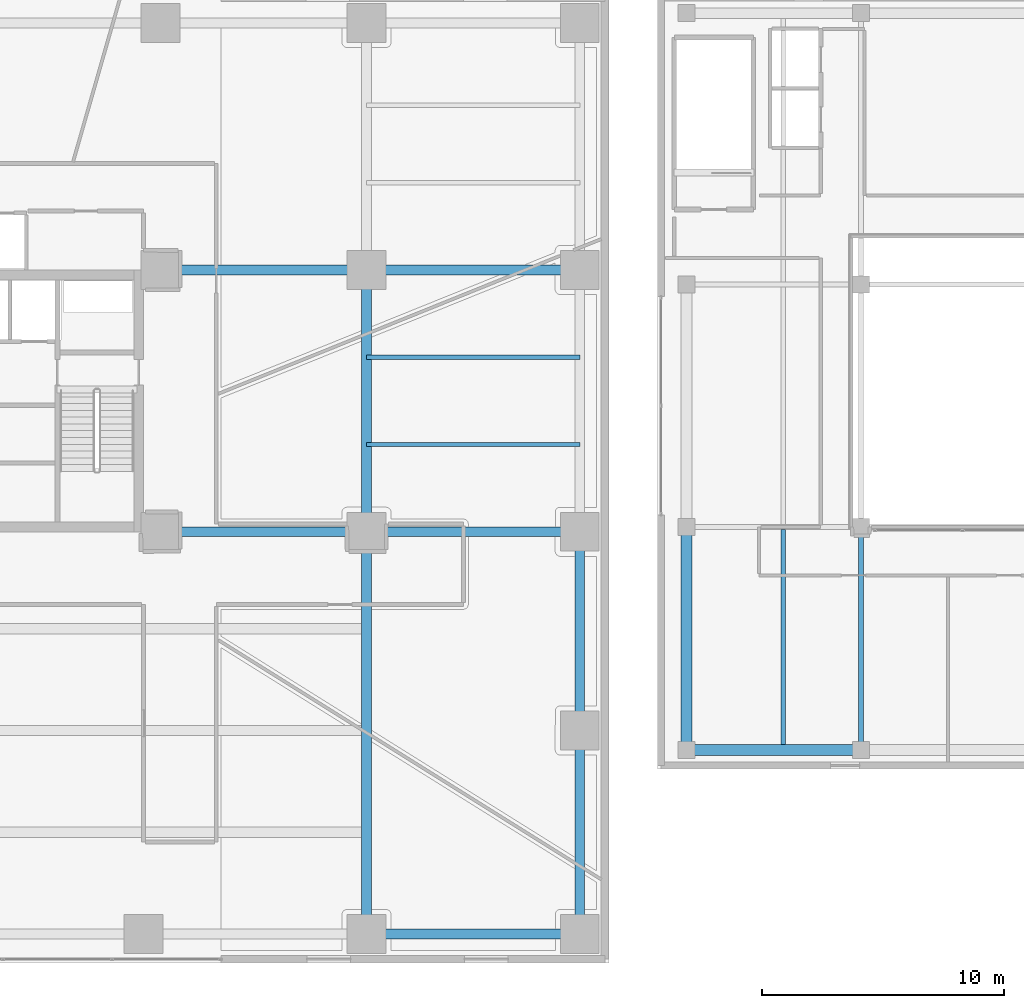
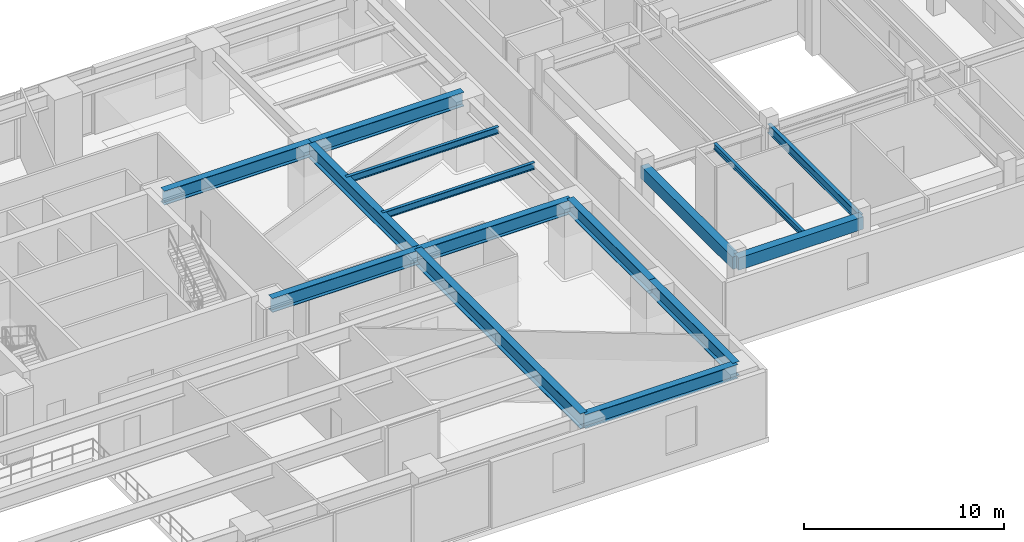
# One storey, part 7 of 25: 15 beams.
"""IFC4 building model written with IfcOpenShell, lengths in metres."""

import ifcopenshell
import ifcopenshell.guid

model = None  # the IFC model being written
_history = None  # IfcOwnerHistory: only IFC2X3 demands one
_inside = {}  # id of a spatial element -> (the spatial element, [elements in it])
_under = {}  # id of a project, library or spatial element -> (it, [spatial elements below it])
_declared = {}  # id of a project -> (the project, [libraries it declares])
_typed = {}  # id of a type object -> (the type object, [elements of that type])
_made_of = {}  # id of a material, layer set ... -> (it, [elements and type objects made of it])


def new_model(schema):
    """Start an empty IFC model of exactly this schema.

    Asked for "IFC4X3", IfcOpenShell would pick the latest addendum, in which some entities
    have other attributes; the version numbers below select the first issue.
    IFC2X3 requires an IfcOwnerHistory on every rooted entity: one is made here for all.
    """
    global model, _history
    if schema == "IFC4X3":
        model = ifcopenshell.file(schema_version=(4, 3, 0, 0))
    else:
        model = ifcopenshell.file(schema=schema)
    _inside.clear()
    _under.clear()
    _declared.clear()
    _typed.clear()
    _made_of.clear()
    _history = None
    if model.schema == "IFC2X3":
        org = make("IfcOrganization", Name="unknown")
        user = make(
            "IfcPersonAndOrganization",
            ThePerson=make("IfcPerson", FamilyName="unknown"),
            TheOrganization=org,
        )
        app = make(
            "IfcApplication",
            ApplicationDeveloper=org,
            Version="unknown",
            ApplicationFullName="unknown",
            ApplicationIdentifier="unknown",
        )
        _history = make(
            "IfcOwnerHistory",
            OwningUser=user,
            OwningApplication=app,
            ChangeAction="ADDED",
            CreationDate=0,
        )
    return model


def make(cls, **values):
    """One entity of the class cls with the attributes given. An attribute that is None is left unset."""
    return model.create_entity(
        cls, **{name: value for name, value in values.items() if value is not None}
    )


def rooted(cls, **values):
    """An entity with a GlobalId (a new one), such as an element, a storey or a relation."""
    return make(cls, GlobalId=ifcopenshell.guid.new(), OwnerHistory=_history, **values)


def si_unit(unit_type, name, prefix=None):
    """IfcSIUnit, for example si_unit("LENGTHUNIT", "METRE", prefix="MILLI")."""
    return make("IfcSIUnit", UnitType=unit_type, Prefix=prefix, Name=name)


def assignment(units):
    """IfcUnitAssignment: the units of a project."""
    return None if units is None else make("IfcUnitAssignment", Units=units)


def point(xyz):
    """IfcCartesianPoint."""
    return None if xyz is None else make("IfcCartesianPoint", Coordinates=xyz)


def direction(xyz):
    """IfcDirection."""
    return None if xyz is None else make("IfcDirection", DirectionRatios=xyz)


def frame(location, z_axis=None, x_axis=None):
    """IfcAxis2Placement3D, a coordinate frame: its origin and axes. An axis left out is left unset."""
    return make(
        "IfcAxis2Placement3D",
        Location=point(location),
        Axis=direction(z_axis),
        RefDirection=direction(x_axis),
    )


def frame_2d(location, x_axis=None):
    """IfcAxis2Placement2D, a coordinate frame in the plane: its origin and x axis."""
    return make(
        "IfcAxis2Placement2D", Location=point(location), RefDirection=direction(x_axis)
    )


def origin():
    """The frame at (0, 0, 0) with its axes left unset."""
    return frame((0.0, 0.0, 0.0))


def origin_2d():
    """The frame at (0, 0) in the plane with its x axis left unset."""
    return frame_2d((0.0, 0.0))


def place(relative_to, where):
    """IfcLocalPlacement: puts the frame where relative to a parent placement (None: the world)."""
    return make(
        "IfcLocalPlacement", PlacementRelTo=relative_to, RelativePlacement=where
    )


def context(
    kind, dimensions, precision=None, world=None, true_north=None, identifier=None
):
    """IfcGeometricRepresentationContext, for example the 3D "Model" context."""
    return make(
        "IfcGeometricRepresentationContext",
        ContextIdentifier=identifier,
        ContextType=kind,
        CoordinateSpaceDimension=dimensions,
        Precision=precision,
        WorldCoordinateSystem=world,
        TrueNorth=true_north,
    )


def subcontext(parent, identifier, kind, view, scale=None):
    """IfcGeometricRepresentationSubContext, for example "Body" below "Model"."""
    return make(
        "IfcGeometricRepresentationSubContext",
        ContextIdentifier=identifier,
        ContextType=kind,
        ParentContext=parent,
        TargetScale=scale,
        TargetView=view,
    )


def project(units=None, contexts=None):
    """IfcProject with its units and contexts."""
    return rooted(
        "IfcProject",
        Name="project",
        RepresentationContexts=contexts,
        UnitsInContext=assignment(units),
    )


def spatial(cls, under=None, at=None, **own):
    """A site, building, storey or space (cls), placed at a placement, below another one or the project."""
    s = rooted(cls, ObjectPlacement=at, **own)
    if under is not None:
        _under.setdefault(under.id(), (under, []))[1].append(s)
    return s


def profile(cls, at=None, kind="AREA", **sizes):
    """A parametric profile (cls). Its sizes go by their IFC names, for example OverallWidth=200.0."""
    return make(cls, ProfileType=kind, Position=at, **sizes)


def rectangle(**sizes):
    """IfcRectangleProfileDef."""
    return profile("IfcRectangleProfileDef", **sizes)


def i_section(**sizes):
    """IfcIShapeProfileDef."""
    return profile("IfcIShapeProfileDef", **sizes)


def extrude(swept, where, along, depth):
    """IfcExtrudedAreaSolid: the profile swept, set in the frame where, extruded along a direction by depth."""
    return make(
        "IfcExtrudedAreaSolid",
        SweptArea=swept,
        Position=where,
        ExtrudedDirection=direction(along),
        Depth=depth,
    )


def shape(context_of_items, identifier, shape_type, items):
    """IfcShapeRepresentation: the items that make up one representation, for example the "Body"."""
    return make(
        "IfcShapeRepresentation",
        ContextOfItems=context_of_items,
        RepresentationIdentifier=identifier,
        RepresentationType=shape_type,
        Items=items,
    )


def material(Name=None, Category=None):
    """IfcMaterial."""
    return make("IfcMaterial", Name=Name, Category=Category)


def material_profile(
    of_material, cross_section, Name=None, Category=None, Priority=None
):
    """IfcMaterialProfile: a cross section and its material."""
    return make(
        "IfcMaterialProfile",
        Name=Name,
        Material=of_material,
        Profile=cross_section,
        Priority=Priority,
        Category=Category,
    )


def profile_set(profiles, Name=None, composite=None):
    """IfcMaterialProfileSet."""
    return make(
        "IfcMaterialProfileSet",
        Name=Name,
        MaterialProfiles=profiles,
        CompositeProfile=composite,
    )


def made_of(thing, what):
    """Note that an element or type object is made of a material, layer set ...; save() writes the relation."""
    if what is not None:
        _made_of.setdefault(what.id(), (what, []))[1].append(thing)
    return thing


def type_object(cls, material=None, **own):
    """A type object (cls), such as IfcWallType, which elements share."""
    return made_of(rooted(cls, **own), material)


def element(
    cls,
    number,
    at=None,
    inside=None,
    cuts=None,
    type_object=None,
    material=None,
    context=None,
    identifier="Body",
    shape_type=None,
    held_by="IfcProductDefinitionShape",
    body=None,
    shapes=None,
    **own,
):
    """One element of the class cls, such as IfcWall. Its Tag is "e" and its number.

    at: its placement. inside: the storey or other place that contains it. cuts: it is an
    opening in that element (IfcRelVoidsElement). A single representation is given by context,
    identifier, shape_type and body (its items); several are given by shapes. held_by: the class
    of the entity that holds the representations. save() writes the other relations.
    """
    e = rooted(cls, Tag="e%d" % number, ObjectPlacement=at, **own)
    if body is not None:
        shapes = [shape(context, identifier, shape_type, body)]
    if shapes is not None:
        e.Representation = make(held_by, Representations=shapes)
    if inside is not None:
        _inside.setdefault(inside.id(), (inside, []))[1].append(e)
    if cuts is not None:
        rooted(
            "IfcRelVoidsElement", RelatingBuildingElement=cuts, RelatedOpeningElement=e
        )
    if type_object is not None:
        _typed.setdefault(type_object.id(), (type_object, []))[1].append(e)
    return made_of(e, material)


def aggregate(whole, parts):
    """IfcRelAggregates: a whole, such as a stair, and the parts it consists of."""
    return rooted("IfcRelAggregates", RelatingObject=whole, RelatedObjects=parts)


def save(model, path):
    """Write the relations noted so far, then the file.

    IfcRelAggregates (storeys below a building ...), IfcRelContainedInSpatialStructure (elements
    in a storey), IfcRelDefinesByType, IfcRelAssociatesMaterial and IfcRelDeclares: one each for
    every whole, place, type object, material and project.
    """
    for whole, parts in _under.values():
        aggregate(whole, parts)
    for where, things in _inside.values():
        rooted(
            "IfcRelContainedInSpatialStructure",
            RelatedElements=things,
            RelatingStructure=where,
        )
    for kind, things in _typed.values():
        rooted("IfcRelDefinesByType", RelatedObjects=things, RelatingType=kind)
    for what, things in _made_of.values():
        rooted("IfcRelAssociatesMaterial", RelatedObjects=things, RelatingMaterial=what)
    for by, libraries in _declared.values():
        rooted("IfcRelDeclares", RelatingContext=by, RelatedDefinitions=libraries)
    model.write(path)


model = new_model("IFC4")

# Units and contexts
model_context = context("Model", 3, precision=1e-05, world=origin(), true_north=direction((0.0, 1.0)))
body_context = subcontext(model_context, "Body", "Model", "MODEL_VIEW")
ifc_project = project(units=[si_unit("LENGTHUNIT", "METRE"), si_unit("AREAUNIT", "SQUARE_METRE"), si_unit("VOLUMEUNIT", "CUBIC_METRE"), si_unit("PLANEANGLEUNIT", "RADIAN"), si_unit("MASSUNIT", "GRAM", prefix="KILO")], contexts=[model_context])

# Site, building, storey
site_placement = place(None, origin())
site = spatial("IfcSite", under=ifc_project, at=site_placement, CompositionType="ELEMENT")
building_placement = place(site_placement, origin())
building = spatial("IfcBuilding", under=site, at=building_placement, Name="Talar Marvaseh", CompositionType="ELEMENT")
storey_placement = place(building_placement, frame((0.0, 0.0, 14.39990234375)))
storey = spatial("IfcBuildingStorey", under=building, at=storey_placement, Name="L03", CompositionType="ELEMENT", Elevation=14.39990234375)

# Beams
ifc_material_1 = material(Name="Steel S460", Category="steel")
ifc_material_profile_1 = material_profile(ifc_material_1, i_section(OverallWidth=0.41796875, OverallDepth=0.912109375, WebThickness=0.019287109375, FlangeThickness=0.031982421875, at=origin_2d()), Name="W920x342")
ifc_profile_set_1 = profile_set([ifc_material_profile_1], Name="Steel S460")
beam_type_1 = type_object("IfcBeamType", Name="Auditorium Long-Span Girder W920x342", PredefinedType="BEAM", material=ifc_profile_set_1)
beam_1_placement = place(storey_placement, frame((42.0, 9.199951171875, 3.794189453125), z_axis=(0.0, 1.0, 0.0), x_axis=(-1.0, 0.0, 0.0)))
element("IfcBeam", 1, at=beam_1_placement, inside=storey, type_object=beam_type_1, Name="L03 Auditorium Long-Span Girder W920x342", PredefinedType="BEAM", context=body_context, shape_type="SweptSolid", body=[
    extrude(i_section(OverallWidth=0.41796875, OverallDepth=0.912109375, WebThickness=0.019287109375, FlangeThickness=0.031982421875, at=origin_2d()), origin(), (0.0, 0.0, 1.0), 16.60009765625),
])
ifc_material_2 = material(Name="Steel S355", Category="steel")
ifc_material_profile_2 = material_profile(ifc_material_2, i_section(OverallWidth=0.39990234375, OverallDepth=0.85498046875, WebThickness=0.018310546875, FlangeThickness=0.029296875, at=origin_2d()), Name="W840x299")
ifc_profile_set_2 = profile_set([ifc_material_profile_2], Name="Steel S355")
beam_type_2 = type_object("IfcBeamType", Name="Concourse Primary Girder W840x299", PredefinedType="BEAM", material=ifc_profile_set_2)
beam_2_placement = place(storey_placement, frame((42.0, 9.199951171875, 3.822509765625), z_axis=(1.0, 0.0, 0.0), x_axis=(0.0, 1.0, 0.0)))
element("IfcBeam", 2, at=beam_2_placement, inside=storey, type_object=beam_type_2, Name="L03 Concourse Primary Girder W840x299", PredefinedType="BEAM", context=body_context, shape_type="SweptSolid", body=[
    extrude(i_section(OverallWidth=0.39990234375, OverallDepth=0.85498046875, WebThickness=0.018310546875, FlangeThickness=0.029296875, at=origin_2d()), origin(), (0.0, 0.0, 1.0), 8.800048828125),
])
beam_3_placement = place(storey_placement, frame((33.5, 25.800048828125, 3.822509765625), z_axis=(1.0, 0.0, 0.0), x_axis=(0.0, 1.0, 0.0)))
element("IfcBeam", 3, at=beam_3_placement, inside=storey, type_object=beam_type_2, Name="L03 Concourse Primary Girder W840x299", PredefinedType="BEAM", context=body_context, shape_type="SweptSolid", body=[
    extrude(i_section(OverallWidth=0.39990234375, OverallDepth=0.85498046875, WebThickness=0.018310546875, FlangeThickness=0.029296875, at=origin_2d()), origin(), (0.0, 0.0, 1.0), 8.5),
])
beam_4_placement = place(storey_placement, frame((42.0, 25.800048828125, 3.822509765625), z_axis=(1.0, 0.0, 0.0), x_axis=(0.0, 1.0, 0.0)))
element("IfcBeam", 4, at=beam_4_placement, inside=storey, type_object=beam_type_2, Name="L03 Concourse Primary Girder W840x299", PredefinedType="BEAM", context=body_context, shape_type="SweptSolid", body=[
    extrude(i_section(OverallWidth=0.39990234375, OverallDepth=0.85498046875, WebThickness=0.018310546875, FlangeThickness=0.029296875, at=origin_2d()), origin(), (0.0, 0.0, 1.0), 8.800048828125),
])
beam_5_placement = place(storey_placement, frame((33.5, 36.60009765625, 3.822509765625), z_axis=(1.0, 0.0, 0.0), x_axis=(0.0, 1.0, 0.0)))
element("IfcBeam", 5, at=beam_5_placement, inside=storey, type_object=beam_type_2, Name="L03 Concourse Primary Girder W840x299", PredefinedType="BEAM", context=body_context, shape_type="SweptSolid", body=[
    extrude(i_section(OverallWidth=0.39990234375, OverallDepth=0.85498046875, WebThickness=0.018310546875, FlangeThickness=0.029296875, at=origin_2d()), origin(), (0.0, 0.0, 1.0), 8.5),
])
beam_6_placement = place(storey_placement, frame((42.0, 36.60009765625, 3.822509765625), z_axis=(1.0, 0.0, 0.0), x_axis=(0.0, 1.0, 0.0)))
element("IfcBeam", 6, at=beam_6_placement, inside=storey, type_object=beam_type_2, Name="L03 Concourse Primary Girder W840x299", PredefinedType="BEAM", context=body_context, shape_type="SweptSolid", body=[
    extrude(i_section(OverallWidth=0.39990234375, OverallDepth=0.85498046875, WebThickness=0.018310546875, FlangeThickness=0.029296875, at=origin_2d()), origin(), (0.0, 0.0, 1.0), 8.800048828125),
])
beam_7_placement = place(storey_placement, frame((42.0, 25.800048828125, 3.822509765625), z_axis=(0.0, 1.0, 0.0), x_axis=(-1.0, 0.0, 0.0)))
element("IfcBeam", 7, at=beam_7_placement, inside=storey, type_object=beam_type_2, Name="L03 Concourse Primary Girder W840x299", PredefinedType="BEAM", context=body_context, shape_type="SweptSolid", body=[
    extrude(i_section(OverallWidth=0.39990234375, OverallDepth=0.85498046875, WebThickness=0.018310546875, FlangeThickness=0.029296875, at=origin_2d()), origin(), (0.0, 0.0, 1.0), 10.800048828125),
])
beam_8_placement = place(storey_placement, frame((50.800048828125, 9.199951171875, 3.822509765625), z_axis=(0.0, 1.0, 0.0), x_axis=(-1.0, 0.0, 0.0)))
element("IfcBeam", 8, at=beam_8_placement, inside=storey, type_object=beam_type_2, Name="L03 Concourse Primary Girder W840x299", PredefinedType="BEAM", context=body_context, shape_type="SweptSolid", body=[
    extrude(i_section(OverallWidth=0.39990234375, OverallDepth=0.85498046875, WebThickness=0.018310546875, FlangeThickness=0.029296875, at=origin_2d()), origin(), (0.0, 0.0, 1.0), 8.400146484375),
])
beam_9_placement = place(storey_placement, frame((50.800048828125, 17.60009765625, 3.822509765625), z_axis=(0.0, 1.0, 0.0), x_axis=(-1.0, 0.0, 0.0)))
element("IfcBeam", 9, at=beam_9_placement, inside=storey, type_object=beam_type_2, Name="L03 Concourse Primary Girder W840x299", PredefinedType="BEAM", context=body_context, shape_type="SweptSolid", body=[
    extrude(i_section(OverallWidth=0.39990234375, OverallDepth=0.85498046875, WebThickness=0.018310546875, FlangeThickness=0.029296875, at=origin_2d()), origin(), (0.0, 0.0, 1.0), 8.199951171875),
])
ifc_material_3 = material(Name="Concrete C40/50", Category="concrete")
ifc_material_profile_3 = material_profile(ifc_material_3, rectangle(XDim=0.449951171875, YDim=0.75, at=origin_2d()), Name="RC450x750")
ifc_profile_set_3 = profile_set([ifc_material_profile_3], Name="Concrete C40/50")
beam_type_3 = type_object("IfcBeamType", Name="Market Concrete Edge Beam RC450x750", PredefinedType="SPANDREL", material=ifc_profile_set_3)
beam_10_placement = place(storey_placement, frame((55.199951171875, 16.800048828125, 4.22509765625), z_axis=(1.0, 0.0, 0.0), x_axis=(0.0, 1.0, 0.0)))
element("IfcBeam", 10, at=beam_10_placement, inside=storey, type_object=beam_type_3, Name="L03 Market Concrete Edge Beam RC450x750", PredefinedType="SPANDREL", context=body_context, shape_type="SweptSolid", body=[
    extrude(rectangle(XDim=0.449951171875, YDim=0.75, at=origin_2d()), origin(), (0.0, 0.0, 1.0), 7.199951171875),
])
beam_11_placement = place(storey_placement, frame((55.199951171875, 16.800048828125, 4.22509765625), z_axis=(0.0, 1.0, 0.0), x_axis=(-1.0, 0.0, 0.0)))
element("IfcBeam", 11, at=beam_11_placement, inside=storey, type_object=beam_type_3, Name="L03 Market Concrete Edge Beam RC450x750", PredefinedType="SPANDREL", context=body_context, shape_type="SweptSolid", body=[
    extrude(rectangle(XDim=0.449951171875, YDim=0.75, at=origin_2d()), origin(), (0.0, 0.0, 1.0), 9.199951171875),
])
ifc_material_profile_4 = material_profile(ifc_material_2, i_section(OverallWidth=0.2119140625, OverallDepth=0.5439453125, WebThickness=0.01318359375, FlangeThickness=0.021240234375, at=origin_2d()), Name="W530x123")
ifc_profile_set_4 = profile_set([ifc_material_profile_4], Name="Steel S355")
beam_type_4 = type_object("IfcBeamType", Name="Market Hall Primary Girder W530x123", PredefinedType="BEAM", material=ifc_profile_set_4)
beam_12_placement = place(storey_placement, frame((62.39990234375, 16.800048828125, 4.328125), z_axis=(0.0, 1.0, 0.0), x_axis=(-1.0, 0.0, 0.0)))
element("IfcBeam", 12, at=beam_12_placement, inside=storey, type_object=beam_type_4, Name="L03 Market Hall Primary Girder W530x123", PredefinedType="BEAM", context=body_context, shape_type="SweptSolid", body=[
    extrude(i_section(OverallWidth=0.2119140625, OverallDepth=0.5439453125, WebThickness=0.01318359375, FlangeThickness=0.021240234375, at=origin_2d()), origin(), (0.0, 0.0, 1.0), 9.199951171875),
])
ifc_material_profile_5 = material_profile(ifc_material_2, i_section(OverallWidth=0.179931640625, OverallDepth=0.4130859375, WebThickness=0.009765625, FlangeThickness=0.01611328125, at=origin_2d()), Name="W410x75")
ifc_profile_set_5 = profile_set([ifc_material_profile_5], Name="Steel S355")
beam_type_5 = type_object("IfcBeamType", Name="Zone 1 Secondary Floor Joist W410x75", PredefinedType="JOIST", material=ifc_profile_set_5)
for number, where, z_axis, x_axis, name in (
    (13, (42.0, 29.39990234375, 4.043701171875), (1.0, 0.0, 0.0), (0.0, 1.0, 0.0), "L03 Zone 1 Secondary Floor Joist W410x75"),
    (14, (42.0, 33.0, 4.043701171875), (1.0, 0.0, 0.0), (0.0, 1.0, 0.0), "L03 Zone 1 Secondary Floor Joist W410x75"),
):
    element("IfcBeam", number, at=place(storey_placement, frame(where, z_axis=z_axis, x_axis=x_axis)), inside=storey, type_object=beam_type_5, Name=name, PredefinedType="JOIST", context=body_context, shape_type="SweptSolid", body=[
        extrude(i_section(OverallWidth=0.179931640625, OverallDepth=0.4130859375, WebThickness=0.009765625, FlangeThickness=0.01611328125, at=origin_2d()), origin(), (0.0, 0.0, 1.0), 8.800048828125),
    ])
ifc_material_profile_6 = material_profile(ifc_material_2, i_section(OverallWidth=0.172119140625, OverallDepth=0.35791015625, WebThickness=0.0078125, FlangeThickness=0.01318359375, at=origin_2d()), Name="W360x57")
ifc_profile_set_6 = profile_set([ifc_material_profile_6], Name="Steel S355")
beam_type_6 = type_object("IfcBeamType", Name="Zone 2 Secondary Floor Joist W360x57", PredefinedType="JOIST", material=ifc_profile_set_6)
beam_13_placement = place(storey_placement, frame((59.199951171875, 17.02001953125, 4.421142578125), z_axis=(0.0, 1.0, 0.0), x_axis=(-1.0, 0.0, 0.0)))
element("IfcBeam", 15, at=beam_13_placement, inside=storey, type_object=beam_type_6, Name="L03 Zone 2 Secondary Floor Joist W360x57", PredefinedType="JOIST", context=body_context, shape_type="SweptSolid", body=[
    extrude(i_section(OverallWidth=0.172119140625, OverallDepth=0.35791015625, WebThickness=0.0078125, FlangeThickness=0.01318359375, at=origin_2d()), origin(), (0.0, 0.0, 1.0), 8.875),
])

save(model, "model.ifc")
